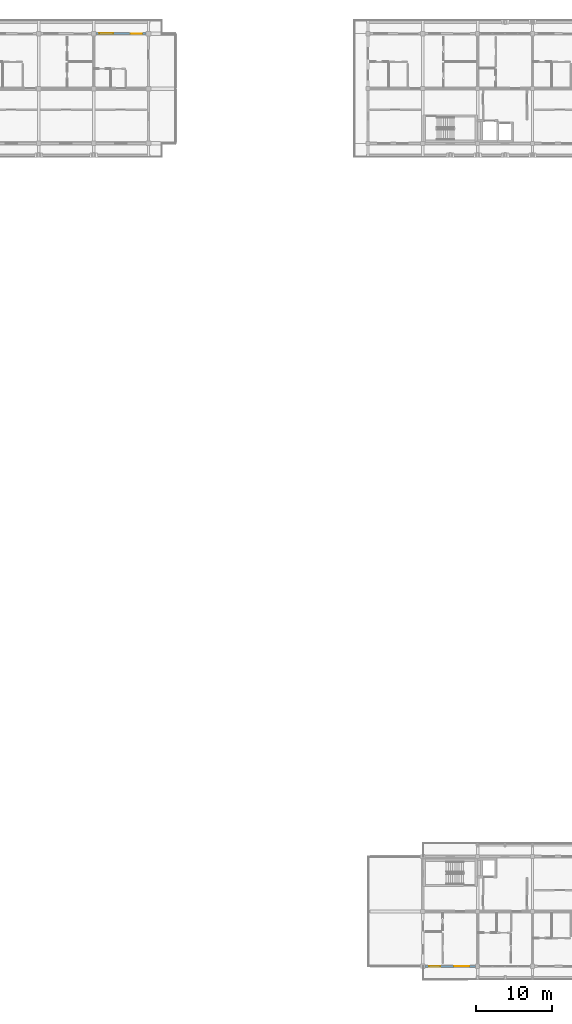
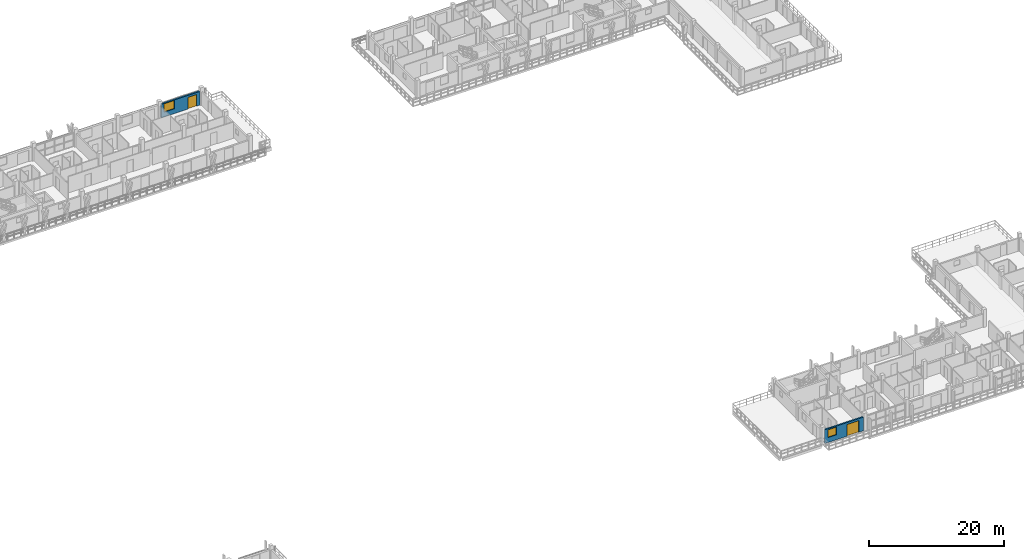
# One storey, part 43 of 65: 2 doors, 2 walls, 2 windows, 4 openings.
"""IFC4 building model written with IfcOpenShell, lengths in metres."""

from ifc_helpers import new_model, si_unit, direction, frame, frame_2d, origin, place, context, subcontext, project, spatial, rectangle, extrude, material, layer, layer_set, type_object, element, fill, save


model = new_model("IFC4")

# Units and contexts
model_context = context("Model", 3, precision=1e-05, world=origin(), true_north=direction((0.0, 1.0)))
body_context = subcontext(model_context, "Body", "Model", "MODEL_VIEW")
ifc_project = project(units=[si_unit("LENGTHUNIT", "METRE"), si_unit("AREAUNIT", "SQUARE_METRE"), si_unit("VOLUMEUNIT", "CUBIC_METRE"), si_unit("PLANEANGLEUNIT", "RADIAN"), si_unit("MASSUNIT", "GRAM", prefix="KILO")], contexts=[model_context])

# Site, building, storey
site_placement = place(None, origin())
site = spatial("IfcSite", under=ifc_project, at=site_placement, CompositionType="ELEMENT")
building_placement = place(site_placement, origin())
building = spatial("IfcBuilding", under=site, at=building_placement, Name="Suanplinth Sawtooth Commons", CompositionType="ELEMENT")
storey_placement = place(building_placement, frame((0.0, 0.0, 28.300048828125)))
storey = spatial("IfcBuildingStorey", under=building, at=storey_placement, Name="L08", CompositionType="ELEMENT", Elevation=28.300048828125)

# Wall, openings, door, window
ifc_material_1 = material(Name="Precast concrete C40/50", Category="concrete")
ifc_layer = layer(ifc_material_1, 0.260009765625, Name="Insulated precast courtyard facade wall 260mm")
ifc_layer_set = layer_set([ifc_layer], Name="Precast concrete C40/50")
wall_type = type_object("IfcWallType", Name="W-EX02", PredefinedType="ELEMENTEDWALL", material=ifc_layer_set)
wall_1_placement = place(storey_placement, frame((93.89990234375, 122.39990234375, 0.0), z_axis=(0.0, 0.0, 1.0), x_axis=(1.0, 0.0, 0.0)))
wall_1 = element("IfcWall", 1, at=wall_1_placement, inside=storey, type_object=wall_type, Name="Facade Wall W-L08-A-N-11", PredefinedType="ELEMENTEDWALL", context=body_context, shape_type="SweptSolid", body=[
    extrude(rectangle(XDim=6.60009765625, YDim=0.260009765625, at=frame_2d((3.300048828125, 0.0))), origin(), (0.0, 0.0, 1.0), 2.48486328125),
])
opening_1_placement = place(wall_1_placement, frame((4.550048828125, 0.0, 0.0)))
opening_1 = element("IfcOpeningElement", 2, at=opening_1_placement, cuts=wall_1, Name="Opening ED0638", PredefinedType="OPENING", context=body_context, shape_type="SweptSolid", body=[
    extrude(rectangle(XDim=1.5, YDim=2.1201171875, at=frame_2d((0.75, 1.06005859375))), frame((0.0, 0.14501953125, 0.0), z_axis=(0.0, -1.0, 0.0), x_axis=(1.0, 0.0, 0.0)), (0.0, 0.0, 1.0), 0.289794921875),
])
opening_2_placement = place(wall_1_placement, frame((0.449951171875, 0.0, 0.875)))
opening_2 = element("IfcOpeningElement", 3, at=opening_2_placement, cuts=wall_1, Name="Opening W0718", PredefinedType="OPENING", context=body_context, shape_type="SweptSolid", body=[
    extrude(rectangle(XDim=1.800048828125, YDim=1.5, at=frame_2d((0.89990234375, 0.75))), frame((0.0, 0.14501953125, 0.0), z_axis=(0.0, -1.0, 0.0), x_axis=(1.0, 0.0, 0.0)), (0.0, 0.0, 1.0), 0.289794921875),
])
ifc_material_2 = material(Name="Anodized aluminium and low-E glass", Category="aluminium")
door_type_1 = type_object("IfcDoorType", Name="SD-03", OperationType="SLIDING_TO_LEFT", PredefinedType="DOOR", material=ifc_material_2)
door_1_placement = place(opening_1_placement, frame((1.5, 0.0, 0.0), z_axis=(0.0, 0.0, 1.0), x_axis=(-1.0, 0.0, 0.0)))
door_1 = element("IfcDoor", 4, at=door_1_placement, inside=storey, type_object=door_type_1, Name="Balcony Sliding Door L08-A-N-11", OperationType="SLIDING_TO_LEFT", OverallHeight=2.1201171875, OverallWidth=1.5, PredefinedType="DOOR", context=body_context, shape_type="SweptSolid", body=[
    extrude(rectangle(XDim=1.5, YDim=2.1201171875, at=frame_2d((0.75, 1.06005859375))), frame((0.0, 0.02490234375, 0.0), z_axis=(0.0, -1.0, 0.0), x_axis=(1.0, 0.0, 0.0)), (0.0, 0.0, 1.0), 0.050048828125),
])
fill(opening_1, door_1)
ifc_material_3 = material(Name="Thermally broken aluminium and low-E double glazing", Category="aluminium")
window_type_1 = type_object("IfcWindowType", Name="WN-01", PartitioningType="DOUBLE_PANEL_VERTICAL", PredefinedType="WINDOW", material=ifc_material_3)
window_1_placement = place(opening_2_placement, origin())
window_1 = element("IfcWindow", 5, at=window_1_placement, inside=storey, type_object=window_type_1, Name="Window L08-A-N-11", OverallHeight=1.5, OverallWidth=1.800048828125, PartitioningType="DOUBLE_PANEL_VERTICAL", PredefinedType="WINDOW", context=body_context, shape_type="SweptSolid", body=[
    extrude(rectangle(XDim=1.800048828125, YDim=1.5, at=frame_2d((0.89990234375, 0.75))), frame((0.0, 0.030029296875, 0.0), z_axis=(0.0, -1.0, 0.0), x_axis=(1.0, 0.0, 0.0)), (0.0, 0.0, 1.0), 0.06005859375),
])
fill(opening_2, window_1)

wall_2_placement = place(storey_placement, frame((137.074951171875, 0.0, 0.0), z_axis=(0.0, 0.0, 1.0), x_axis=(1.0, 0.0, 0.0)))
wall_2 = element("IfcWall", 6, at=wall_2_placement, inside=storey, type_object=wall_type, Name="Facade Wall W-L08-C-S-19-0", PredefinedType="ELEMENTEDWALL", context=body_context, shape_type="SweptSolid", body=[
    extrude(rectangle(XDim=6.650146484375, YDim=0.260009765625, at=frame_2d((3.3251953125, 0.0))), origin(), (0.0, 0.0, 1.0), 2.48486328125),
])
opening_3_placement = place(wall_2_placement, frame((3.85009765625, 0.0, 0.0)))
opening_3 = element("IfcOpeningElement", 7, at=opening_3_placement, cuts=wall_2, Name="Opening ED0660", PredefinedType="OPENING", context=body_context, shape_type="SweptSolid", body=[
    extrude(rectangle(XDim=2.0, YDim=2.1201171875, at=frame_2d((1.0, 1.06005859375))), frame((0.0, 0.14501953125, 0.0), z_axis=(0.0, -1.0, 0.0), x_axis=(1.0, 0.0, 0.0)), (0.0, 0.0, 1.0), 0.289794921875),
])
opening_4_placement = place(wall_2_placement, frame((0.550048828125, 0.0, 0.89990234375)))
opening_4 = element("IfcOpeningElement", 8, at=opening_4_placement, cuts=wall_2, Name="Opening W0740", PredefinedType="OPENING", context=body_context, shape_type="SweptSolid", body=[
    extrude(rectangle(XDim=1.449951171875, YDim=1.39990234375, at=frame_2d((0.72509765625, 0.699951171875))), frame((0.0, 0.14501953125, 0.0), z_axis=(0.0, -1.0, 0.0), x_axis=(1.0, 0.0, 0.0)), (0.0, 0.0, 1.0), 0.289794921875),
])
door_type_2 = type_object("IfcDoorType", Name="SD-06", OperationType="DOUBLE_DOOR_SLIDING", PredefinedType="DOOR", material=ifc_material_2)
door_2_placement = place(opening_3_placement, frame((2.0, 0.0, 0.0), z_axis=(0.0, 0.0, 1.0), x_axis=(-1.0, 0.0, 0.0)))
door_2 = element("IfcDoor", 9, at=door_2_placement, inside=storey, type_object=door_type_2, Name="Balcony Sliding Door L08-C-19", OperationType="DOUBLE_DOOR_SLIDING", OverallHeight=2.1201171875, OverallWidth=2.0, PredefinedType="DOOR", context=body_context, shape_type="SweptSolid", body=[
    extrude(rectangle(XDim=2.0, YDim=2.1201171875, at=frame_2d((1.0, 1.06005859375))), frame((0.0, 0.02490234375, 0.0), z_axis=(0.0, -1.0, 0.0), x_axis=(1.0, 0.0, 0.0)), (0.0, 0.0, 1.0), 0.050048828125),
])
fill(opening_3, door_2)
window_type_2 = type_object("IfcWindowType", Name="WN-16", PartitioningType="DOUBLE_PANEL_VERTICAL", PredefinedType="WINDOW", material=ifc_material_3)
window_2_placement = place(opening_4_placement, origin())
window_2 = element("IfcWindow", 10, at=window_2_placement, inside=storey, type_object=window_type_2, Name="Apartment Window L08-C-19", OverallHeight=1.39990234375, OverallWidth=1.449951171875, PartitioningType="DOUBLE_PANEL_VERTICAL", PredefinedType="WINDOW", context=body_context, shape_type="SweptSolid", body=[
    extrude(rectangle(XDim=1.449951171875, YDim=1.39990234375, at=frame_2d((0.72509765625, 0.699951171875))), frame((0.0, 0.030029296875, 0.0), z_axis=(0.0, -1.0, 0.0), x_axis=(1.0, 0.0, 0.0)), (0.0, 0.0, 1.0), 0.06005859375),
])
fill(opening_4, window_2)

save(model, "model.ifc")
